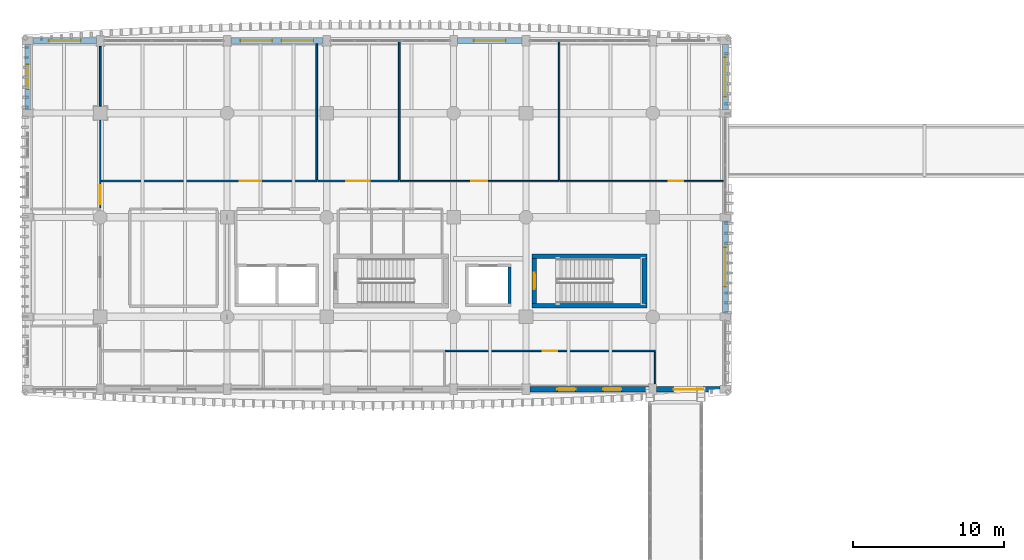
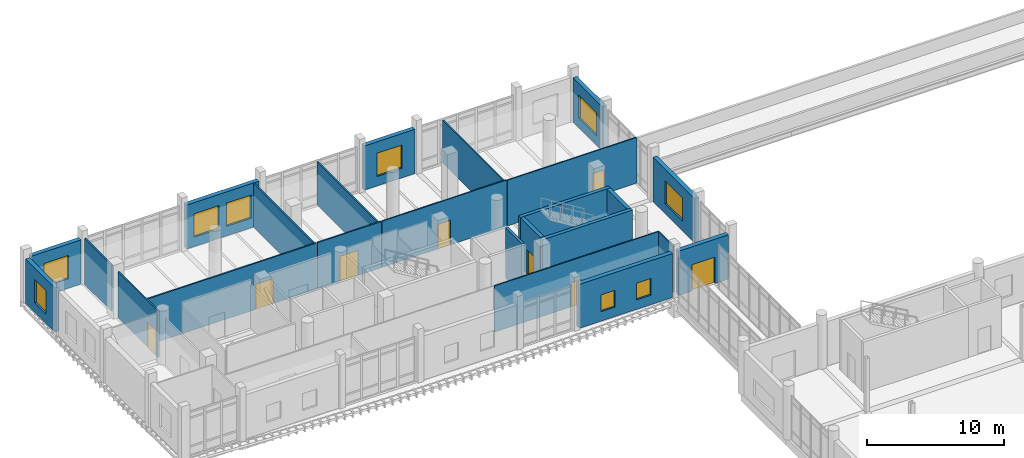
# One storey, part 71 of 101: 24 walls, 9 windows, 8 doors, 17 openings.
"""IFC4 building model written with IfcOpenShell, lengths in metres."""

import ifcopenshell
import ifcopenshell.guid

model = None  # the IFC model being written
_history = None  # IfcOwnerHistory: only IFC2X3 demands one
_inside = {}  # id of a spatial element -> (the spatial element, [elements in it])
_under = {}  # id of a project, library or spatial element -> (it, [spatial elements below it])
_declared = {}  # id of a project -> (the project, [libraries it declares])
_typed = {}  # id of a type object -> (the type object, [elements of that type])
_made_of = {}  # id of a material, layer set ... -> (it, [elements and type objects made of it])


def new_model(schema):
    """Start an empty IFC model of exactly this schema.

    Asked for "IFC4X3", IfcOpenShell would pick the latest addendum, in which some entities
    have other attributes; the version numbers below select the first issue.
    IFC2X3 requires an IfcOwnerHistory on every rooted entity: one is made here for all.
    """
    global model, _history
    if schema == "IFC4X3":
        model = ifcopenshell.file(schema_version=(4, 3, 0, 0))
    else:
        model = ifcopenshell.file(schema=schema)
    _inside.clear()
    _under.clear()
    _declared.clear()
    _typed.clear()
    _made_of.clear()
    _history = None
    if model.schema == "IFC2X3":
        org = make("IfcOrganization", Name="unknown")
        user = make(
            "IfcPersonAndOrganization",
            ThePerson=make("IfcPerson", FamilyName="unknown"),
            TheOrganization=org,
        )
        app = make(
            "IfcApplication",
            ApplicationDeveloper=org,
            Version="unknown",
            ApplicationFullName="unknown",
            ApplicationIdentifier="unknown",
        )
        _history = make(
            "IfcOwnerHistory",
            OwningUser=user,
            OwningApplication=app,
            ChangeAction="ADDED",
            CreationDate=0,
        )
    return model


def make(cls, **values):
    """One entity of the class cls with the attributes given. An attribute that is None is left unset."""
    return model.create_entity(
        cls, **{name: value for name, value in values.items() if value is not None}
    )


def rooted(cls, **values):
    """An entity with a GlobalId (a new one), such as an element, a storey or a relation."""
    return make(cls, GlobalId=ifcopenshell.guid.new(), OwnerHistory=_history, **values)


def si_unit(unit_type, name, prefix=None):
    """IfcSIUnit, for example si_unit("LENGTHUNIT", "METRE", prefix="MILLI")."""
    return make("IfcSIUnit", UnitType=unit_type, Prefix=prefix, Name=name)


def assignment(units):
    """IfcUnitAssignment: the units of a project."""
    return None if units is None else make("IfcUnitAssignment", Units=units)


def point(xyz):
    """IfcCartesianPoint."""
    return None if xyz is None else make("IfcCartesianPoint", Coordinates=xyz)


def direction(xyz):
    """IfcDirection."""
    return None if xyz is None else make("IfcDirection", DirectionRatios=xyz)


def frame(location, z_axis=None, x_axis=None):
    """IfcAxis2Placement3D, a coordinate frame: its origin and axes. An axis left out is left unset."""
    return make(
        "IfcAxis2Placement3D",
        Location=point(location),
        Axis=direction(z_axis),
        RefDirection=direction(x_axis),
    )


def frame_2d(location, x_axis=None):
    """IfcAxis2Placement2D, a coordinate frame in the plane: its origin and x axis."""
    return make(
        "IfcAxis2Placement2D", Location=point(location), RefDirection=direction(x_axis)
    )


def origin():
    """The frame at (0, 0, 0) with its axes left unset."""
    return frame((0.0, 0.0, 0.0))


def place(relative_to, where):
    """IfcLocalPlacement: puts the frame where relative to a parent placement (None: the world)."""
    return make(
        "IfcLocalPlacement", PlacementRelTo=relative_to, RelativePlacement=where
    )


def context(
    kind, dimensions, precision=None, world=None, true_north=None, identifier=None
):
    """IfcGeometricRepresentationContext, for example the 3D "Model" context."""
    return make(
        "IfcGeometricRepresentationContext",
        ContextIdentifier=identifier,
        ContextType=kind,
        CoordinateSpaceDimension=dimensions,
        Precision=precision,
        WorldCoordinateSystem=world,
        TrueNorth=true_north,
    )


def subcontext(parent, identifier, kind, view, scale=None):
    """IfcGeometricRepresentationSubContext, for example "Body" below "Model"."""
    return make(
        "IfcGeometricRepresentationSubContext",
        ContextIdentifier=identifier,
        ContextType=kind,
        ParentContext=parent,
        TargetScale=scale,
        TargetView=view,
    )


def project(units=None, contexts=None):
    """IfcProject with its units and contexts."""
    return rooted(
        "IfcProject",
        Name="project",
        RepresentationContexts=contexts,
        UnitsInContext=assignment(units),
    )


def spatial(cls, under=None, at=None, **own):
    """A site, building, storey or space (cls), placed at a placement, below another one or the project."""
    s = rooted(cls, ObjectPlacement=at, **own)
    if under is not None:
        _under.setdefault(under.id(), (under, []))[1].append(s)
    return s


def profile(cls, at=None, kind="AREA", **sizes):
    """A parametric profile (cls). Its sizes go by their IFC names, for example OverallWidth=200.0."""
    return make(cls, ProfileType=kind, Position=at, **sizes)


def rectangle(**sizes):
    """IfcRectangleProfileDef."""
    return profile("IfcRectangleProfileDef", **sizes)


def extrude(swept, where, along, depth):
    """IfcExtrudedAreaSolid: the profile swept, set in the frame where, extruded along a direction by depth."""
    return make(
        "IfcExtrudedAreaSolid",
        SweptArea=swept,
        Position=where,
        ExtrudedDirection=direction(along),
        Depth=depth,
    )


def shape(context_of_items, identifier, shape_type, items):
    """IfcShapeRepresentation: the items that make up one representation, for example the "Body"."""
    return make(
        "IfcShapeRepresentation",
        ContextOfItems=context_of_items,
        RepresentationIdentifier=identifier,
        RepresentationType=shape_type,
        Items=items,
    )


def material(Name=None, Category=None):
    """IfcMaterial."""
    return make("IfcMaterial", Name=Name, Category=Category)


def layer(
    of_material, thickness, ventilated=None, Name=None, Category=None, Priority=None
):
    """IfcMaterialLayer: one layer of a wall or slab, of a material (None: an air gap)."""
    return make(
        "IfcMaterialLayer",
        Material=of_material,
        LayerThickness=thickness,
        IsVentilated=ventilated,
        Name=Name,
        Category=Category,
        Priority=Priority,
    )


def layer_set(layers, Name=None):
    """IfcMaterialLayerSet."""
    return make("IfcMaterialLayerSet", MaterialLayers=layers, LayerSetName=Name)


def made_of(thing, what):
    """Note that an element or type object is made of a material, layer set ...; save() writes the relation."""
    if what is not None:
        _made_of.setdefault(what.id(), (what, []))[1].append(thing)
    return thing


def type_object(cls, material=None, **own):
    """A type object (cls), such as IfcWallType, which elements share."""
    return made_of(rooted(cls, **own), material)


def element(
    cls,
    number,
    at=None,
    inside=None,
    cuts=None,
    type_object=None,
    material=None,
    context=None,
    identifier="Body",
    shape_type=None,
    held_by="IfcProductDefinitionShape",
    body=None,
    shapes=None,
    **own,
):
    """One element of the class cls, such as IfcWall. Its Tag is "e" and its number.

    at: its placement. inside: the storey or other place that contains it. cuts: it is an
    opening in that element (IfcRelVoidsElement). A single representation is given by context,
    identifier, shape_type and body (its items); several are given by shapes. held_by: the class
    of the entity that holds the representations. save() writes the other relations.
    """
    e = rooted(cls, Tag="e%d" % number, ObjectPlacement=at, **own)
    if body is not None:
        shapes = [shape(context, identifier, shape_type, body)]
    if shapes is not None:
        e.Representation = make(held_by, Representations=shapes)
    if inside is not None:
        _inside.setdefault(inside.id(), (inside, []))[1].append(e)
    if cuts is not None:
        rooted(
            "IfcRelVoidsElement", RelatingBuildingElement=cuts, RelatedOpeningElement=e
        )
    if type_object is not None:
        _typed.setdefault(type_object.id(), (type_object, []))[1].append(e)
    return made_of(e, material)


def fill(opening, filler):
    """IfcRelFillsElement: the door or window that sits in an opening."""
    return rooted(
        "IfcRelFillsElement",
        RelatingOpeningElement=opening,
        RelatedBuildingElement=filler,
    )


def aggregate(whole, parts):
    """IfcRelAggregates: a whole, such as a stair, and the parts it consists of."""
    return rooted("IfcRelAggregates", RelatingObject=whole, RelatedObjects=parts)


def save(model, path):
    """Write the relations noted so far, then the file.

    IfcRelAggregates (storeys below a building ...), IfcRelContainedInSpatialStructure (elements
    in a storey), IfcRelDefinesByType, IfcRelAssociatesMaterial and IfcRelDeclares: one each for
    every whole, place, type object, material and project.
    """
    for whole, parts in _under.values():
        aggregate(whole, parts)
    for where, things in _inside.values():
        rooted(
            "IfcRelContainedInSpatialStructure",
            RelatedElements=things,
            RelatingStructure=where,
        )
    for kind, things in _typed.values():
        rooted("IfcRelDefinesByType", RelatedObjects=things, RelatingType=kind)
    for what, things in _made_of.values():
        rooted("IfcRelAssociatesMaterial", RelatedObjects=things, RelatingMaterial=what)
    for by, libraries in _declared.values():
        rooted("IfcRelDeclares", RelatingContext=by, RelatedDefinitions=libraries)
    model.write(path)


model = new_model("IFC4")

# Units and contexts
model_context = context("Model", 3, precision=1e-05, world=origin(), true_north=direction((0.0, 1.0)))
body_context = subcontext(model_context, "Body", "Model", "MODEL_VIEW")
ifc_project = project(units=[si_unit("LENGTHUNIT", "METRE"), si_unit("AREAUNIT", "SQUARE_METRE"), si_unit("VOLUMEUNIT", "CUBIC_METRE"), si_unit("PLANEANGLEUNIT", "RADIAN"), si_unit("MASSUNIT", "GRAM", prefix="KILO")], contexts=[model_context])

# Site, building, storey
site_placement = place(None, origin())
site = spatial("IfcSite", under=ifc_project, at=site_placement, CompositionType="ELEMENT")
building_placement = place(site_placement, origin())
building = spatial("IfcBuilding", under=site, at=building_placement, Name="Dornvale Research Institute", CompositionType="ELEMENT")
storey_placement = place(building_placement, frame((0.0, 0.0, 10.199951171875)))
storey = spatial("IfcBuildingStorey", under=building, at=storey_placement, Name="L02", CompositionType="ELEMENT", Elevation=10.199951171875)

# Wall, opening, door
ifc_material_1 = material(Name="Acoustic Insulated Double-Stud Laboratory Partition")
ifc_layer_1 = layer(ifc_material_1, 0.1201171875)
ifc_layer_set_1 = layer_set([ifc_layer_1], Name="Acoustic Insulated Double-Stud Laboratory Partition")
wall_type_1 = type_object("IfcWallType", Name="Partition_Dry_120", PredefinedType="PARTITIONING", material=ifc_layer_set_1)
wall_1_placement = place(storey_placement, frame((4.800048828125, 111.02490234375, 0.0), z_axis=(0.0, 0.0, 1.0), x_axis=(0.0, 1.0, 0.0)))
wall_1 = element("IfcWall", 1, at=wall_1_placement, inside=storey, type_object=wall_type_1, Name="L02 V5 interior partition #250", PredefinedType="PARTITIONING", context=body_context, shape_type="SweptSolid", body=[
    extrude(rectangle(XDim=5.80517578125, YDim=0.1201171875, at=frame_2d((2.902587890625, 0.0))), origin(), (0.0, 0.0, 1.0), 4.130126953125),
])
opening_1_placement = place(wall_1_placement, frame((0.25, 0.0, 0.0)))
opening_1 = element("IfcOpeningElement", 2, at=opening_1_placement, cuts=wall_1, Name="Opening ID-10", PredefinedType="OPENING", context=body_context, shape_type="SweptSolid", body=[
    extrude(rectangle(XDim=1.260009765625, YDim=2.199951171875, at=frame_2d((0.6298828125, 1.10009765625))), frame((0.0, 0.074951171875, 0.0), z_axis=(0.0, -1.0, 0.0), x_axis=(1.0, 0.0, 0.0)), (0.0, 0.0, 1.0), 0.150146484375),
])
ifc_material_2 = material(Name="Phenolic-Faced Solid-Core Laboratory Door Assembly")
door_type_1 = type_object("IfcDoorType", Name="Door_DryLab_1260x2200", OperationType="SINGLE_SWING_LEFT", PredefinedType="DOOR", material=ifc_material_2)
door_1_placement = place(opening_1_placement, origin())
door_1 = element("IfcDoor", 3, at=door_1_placement, inside=storey, type_object=door_type_1, Name="L02 Machine Learning Simulation Laboratory West Alcove door #100", OperationType="SINGLE_SWING_LEFT", OverallHeight=2.199951171875, OverallWidth=1.260009765625, PredefinedType="DOOR", context=body_context, shape_type="SweptSolid", body=[
    extrude(rectangle(XDim=1.260009765625, YDim=2.199951171875, at=frame_2d((0.6298828125, 1.10009765625))), frame((0.0, 0.02490234375, 0.0), z_axis=(0.0, -1.0, 0.0), x_axis=(1.0, 0.0, 0.0)), (0.0, 0.0, 1.0), 0.050048828125),
])
fill(opening_1, door_1)

# Wall
wall_2_placement = place(storey_placement, frame((4.800048828125, 117.77001953125, 0.0), z_axis=(0.0, 0.0, 1.0), x_axis=(0.0, 1.0, 0.0)))
element("IfcWall", 4, at=wall_2_placement, inside=storey, type_object=wall_type_1, Name="L02 V5 interior partition #251", PredefinedType="PARTITIONING", context=body_context, shape_type="SweptSolid", body=[
    extrude(rectangle(XDim=3.9599609375, YDim=0.1201171875, at=frame_2d((1.97998046875, 0.0))), origin(), (0.0, 0.0, 1.0), 4.130126953125),
])

# Wall, opening, door
wall_3_placement = place(storey_placement, frame((4.875, 112.800048828125, 0.0), z_axis=(0.0, 0.0, 1.0), x_axis=(1.0, 0.0, 0.0)))
wall_3 = element("IfcWall", 5, at=wall_3_placement, inside=storey, type_object=wall_type_1, Name="L02 V5 interior partition #252", PredefinedType="PARTITIONING", context=body_context, shape_type="SweptSolid", body=[
    extrude(rectangle(XDim=14.264892578125, YDim=0.1201171875, at=frame_2d((7.13232421875, 0.0))), origin(), (0.0, 0.0, 1.0), 4.130126953125),
])
opening_2_placement = place(wall_3_placement, frame((9.155029296875, 0.0, 0.0)))
opening_2 = element("IfcOpeningElement", 6, at=opening_2_placement, cuts=wall_3, Name="Opening ID-07", PredefinedType="OPENING", context=body_context, shape_type="SweptSolid", body=[
    extrude(rectangle(XDim=1.43994140625, YDim=2.25, at=frame_2d((0.719970703125, 1.125))), frame((0.0, 0.074951171875, 0.0), z_axis=(0.0, -1.0, 0.0), x_axis=(1.0, 0.0, 0.0)), (0.0, 0.0, 1.0), 0.150146484375),
])
ifc_material_3 = material(Name="Insulated Fire-Rated Hollow Metal Door Assembly")
door_type_2 = type_object("IfcDoorType", Name="Door_DryLab_1440x2250", OperationType="SINGLE_SWING_LEFT", PredefinedType="DOOR", material=ifc_material_3)
door_2_placement = place(opening_2_placement, origin())
door_2 = element("IfcDoor", 7, at=door_2_placement, inside=storey, type_object=door_type_2, Name="L02 Machine Learning Simulation Laboratory door #101", OperationType="SINGLE_SWING_RIGHT", OverallHeight=2.25, OverallWidth=1.43994140625, PredefinedType="DOOR", context=body_context, shape_type="SweptSolid", body=[
    extrude(rectangle(XDim=1.43994140625, YDim=2.25, at=frame_2d((0.719970703125, 1.125))), frame((0.0, 0.02490234375, 0.0), z_axis=(0.0, -1.0, 0.0), x_axis=(1.0, 0.0, 0.0)), (0.0, 0.0, 1.0), 0.050048828125),
])
fill(opening_2, door_2)

# Wall
wall_4_placement = place(storey_placement, frame((19.139892578125, 112.875, 0.0), z_axis=(0.0, 0.0, 1.0), x_axis=(0.0, 1.0, 0.0)))
element("IfcWall", 8, at=wall_4_placement, inside=storey, type_object=wall_type_1, Name="L02 V5 interior partition #253", PredefinedType="PARTITIONING", context=body_context, shape_type="SweptSolid", body=[
    extrude(rectangle(XDim=9.030029296875, YDim=0.1201171875, at=frame_2d((4.51513671875, 0.0))), origin(), (0.0, 0.0, 1.0), 3.929931640625),
])

# Wall, opening, door
wall_5_placement = place(storey_placement, frame((19.215087890625, 112.800048828125, 0.0), z_axis=(0.0, 0.0, 1.0), x_axis=(1.0, 0.0, 0.0)))
wall_5 = element("IfcWall", 9, at=wall_5_placement, inside=storey, type_object=wall_type_1, Name="L02 V5 interior partition #254", PredefinedType="PARTITIONING", context=body_context, shape_type="SweptSolid", body=[
    extrude(rectangle(XDim=5.385009765625, YDim=0.1201171875, at=frame_2d((2.6923828125, 0.0))), origin(), (0.0, 0.0, 1.0), 4.130126953125),
])
opening_3_placement = place(wall_5_placement, frame((1.885009765625, 0.0, 0.0)))
opening_3 = element("IfcOpeningElement", 10, at=opening_3_placement, cuts=wall_5, Name="Opening ID-12", PredefinedType="OPENING", context=body_context, shape_type="SweptSolid", body=[
    extrude(rectangle(XDim=1.5400390625, YDim=2.25, at=frame_2d((0.77001953125, 1.125))), frame((0.0, 0.074951171875, 0.0), z_axis=(0.0, -1.0, 0.0), x_axis=(1.0, 0.0, 0.0)), (0.0, 0.0, 1.0), 0.150146484375),
])
ifc_material_4 = material(Name="Phenolic-Faced Solid-Core Laboratory Door Assembly")
door_type_3 = type_object("IfcDoorType", Name="Door_Seminar_1540x2250", OperationType="SINGLE_SWING_LEFT", PredefinedType="DOOR", material=ifc_material_4)
door_3_placement = place(opening_3_placement, origin())
door_3 = element("IfcDoor", 11, at=door_3_placement, inside=storey, type_object=door_type_3, Name="L02 Seminar Room L02-N door #102", OperationType="SINGLE_SWING_LEFT", OverallHeight=2.25, OverallWidth=1.5400390625, PredefinedType="DOOR", context=body_context, shape_type="SweptSolid", body=[
    extrude(rectangle(XDim=1.5400390625, YDim=2.25, at=frame_2d((0.77001953125, 1.125))), frame((0.0, 0.02490234375, 0.0), z_axis=(0.0, -1.0, 0.0), x_axis=(1.0, 0.0, 0.0)), (0.0, 0.0, 1.0), 0.050048828125),
])
fill(opening_3, door_3)

# Wall
wall_6_placement = place(storey_placement, frame((24.60009765625, 112.875, 0.0), z_axis=(0.0, 0.0, 1.0), x_axis=(0.0, 1.0, 0.0)))
element("IfcWall", 12, at=wall_6_placement, inside=storey, type_object=wall_type_1, Name="L02 V5 interior partition #255", PredefinedType="PARTITIONING", context=body_context, shape_type="SweptSolid", body=[
    extrude(rectangle(XDim=9.18505859375, YDim=0.1201171875, at=frame_2d((4.592529296875, 0.0))), origin(), (0.0, 0.0, 1.0), 3.830078125),
])

# Wall, opening, door
ifc_material_5 = material(Name="Acoustic Insulated Double-Stud Laboratory Partition")
ifc_layer_2 = layer(ifc_material_5, 0.10009765625)
ifc_layer_set_2 = layer_set([ifc_layer_2], Name="Acoustic Insulated Double-Stud Laboratory Partition")
wall_type_2 = type_object("IfcWallType", Name="Partition_Office_100", PredefinedType="PARTITIONING", material=ifc_layer_set_2)
wall_7_placement = place(storey_placement, frame((24.675048828125, 112.800048828125, 0.0), z_axis=(0.0, 0.0, 1.0), x_axis=(1.0, 0.0, 0.0)))
wall_7 = element("IfcWall", 13, at=wall_7_placement, inside=storey, type_object=wall_type_2, Name="L02 V5 interior partition #256", PredefinedType="PARTITIONING", context=body_context, shape_type="SweptSolid", body=[
    extrude(rectangle(XDim=10.52490234375, YDim=0.10009765625, at=frame_2d((5.262451171875, 0.0))), origin(), (0.0, 0.0, 1.0), 4.130126953125),
])
opening_4_placement = place(wall_7_placement, frame((4.695068359375, 0.0, 0.0)))
opening_4 = element("IfcOpeningElement", 14, at=opening_4_placement, cuts=wall_7, Name="Opening ID-19", PredefinedType="OPENING", context=body_context, shape_type="SweptSolid", body=[
    extrude(rectangle(XDim=1.06005859375, YDim=2.199951171875, at=frame_2d((0.530029296875, 1.10009765625))), frame((0.0, 0.06494140625, 0.0), z_axis=(0.0, -1.0, 0.0), x_axis=(1.0, 0.0, 0.0)), (0.0, 0.0, 1.0), 0.130126953125),
])
ifc_material_6 = material(Name="Phenolic-Faced Solid-Core Laboratory Door Assembly")
door_type_4 = type_object("IfcDoorType", Name="Door_WriteUp_1060x2200", OperationType="SINGLE_SWING_LEFT", PredefinedType="DOOR", material=ifc_material_6)
door_4_placement = place(opening_4_placement, origin())
door_4 = element("IfcDoor", 15, at=door_4_placement, inside=storey, type_object=door_type_4, Name="L02 Researcher Write-Up Studio L02 door #103", OperationType="SINGLE_SWING_RIGHT", OverallHeight=2.199951171875, OverallWidth=1.06005859375, PredefinedType="DOOR", context=body_context, shape_type="SweptSolid", body=[
    extrude(rectangle(XDim=1.06005859375, YDim=2.199951171875, at=frame_2d((0.530029296875, 1.10009765625))), frame((0.0, 0.02490234375, 0.0), z_axis=(0.0, -1.0, 0.0), x_axis=(1.0, 0.0, 0.0)), (0.0, 0.0, 1.0), 0.050048828125),
])
fill(opening_4, door_4)

# Wall
wall_8_placement = place(storey_placement, frame((35.199951171875, 112.864990234375, 0.0), z_axis=(0.0, 0.0, 1.0), x_axis=(0.0, 1.0, 0.0)))
element("IfcWall", 16, at=wall_8_placement, inside=storey, type_object=wall_type_2, Name="L02 V5 interior partition #257", PredefinedType="PARTITIONING", context=body_context, shape_type="SweptSolid", body=[
    extrude(rectangle(XDim=9.195068359375, YDim=0.10009765625, at=frame_2d((4.59765625, 0.0))), origin(), (0.0, 0.0, 1.0), 3.830078125),
])

# Wall, opening, door
wall_9_placement = place(storey_placement, frame((35.264892578125, 112.800048828125, 0.0), z_axis=(0.0, 0.0, 1.0), x_axis=(1.0, 0.0, 0.0)))
wall_9 = element("IfcWall", 17, at=wall_9_placement, inside=storey, type_object=wall_type_2, Name="L02 V5 interior partition #258", PredefinedType="PARTITIONING", context=body_context, shape_type="SweptSolid", body=[
    extrude(rectangle(XDim=10.89501953125, YDim=0.10009765625, at=frame_2d((5.447509765625, 0.0))), origin(), (0.0, 0.0, 1.0), 4.080078125),
])
opening_5_placement = place(wall_9_placement, frame((7.205078125, 0.0, 0.0)))
opening_5 = element("IfcOpeningElement", 18, at=opening_5_placement, cuts=wall_9, Name="Opening ID-22", PredefinedType="OPENING", context=body_context, shape_type="SweptSolid", body=[
    extrude(rectangle(XDim=0.9599609375, YDim=2.14990234375, at=frame_2d((0.47998046875, 1.074951171875))), frame((0.0, 0.06494140625, 0.0), z_axis=(0.0, -1.0, 0.0), x_axis=(1.0, 0.0, 0.0)), (0.0, 0.0, 1.0), 0.130126953125),
])
ifc_material_7 = material(Name="Phenolic-Faced Solid-Core Laboratory Door Assembly")
door_type_5 = type_object("IfcDoorType", Name="Door_Office_960x2150", OperationType="SINGLE_SWING_LEFT", PredefinedType="DOOR", material=ifc_material_7)
door_5_placement = place(opening_5_placement, origin())
door_5 = element("IfcDoor", 19, at=door_5_placement, inside=storey, type_object=door_type_5, Name="L02 Principal Investigator Office L02-E door #104", OperationType="SINGLE_SWING_LEFT", OverallHeight=2.14990234375, OverallWidth=0.9599609375, PredefinedType="DOOR", context=body_context, shape_type="SweptSolid", body=[
    extrude(rectangle(XDim=0.9599609375, YDim=2.14990234375, at=frame_2d((0.47998046875, 1.074951171875))), frame((0.0, 0.02490234375, 0.0), z_axis=(0.0, -1.0, 0.0), x_axis=(1.0, 0.0, 0.0)), (0.0, 0.0, 1.0), 0.050048828125),
])
fill(opening_5, door_5)

wall_10_placement = place(storey_placement, frame((27.6650390625, 101.550048828125, 0.0), z_axis=(0.0, 0.0, 1.0), x_axis=(1.0, 0.0, 0.0)))
wall_10 = element("IfcWall", 20, at=wall_10_placement, inside=storey, type_object=wall_type_2, Name="L02 V5 interior partition #264", PredefinedType="PARTITIONING", context=body_context, shape_type="SweptSolid", body=[
    extrude(rectangle(XDim=13.885009765625, YDim=0.10009765625, at=frame_2d((6.9423828125, 0.0))), origin(), (0.0, 0.0, 1.0), 4.130126953125),
])
opening_6_placement = place(wall_10_placement, frame((6.43505859375, 0.0, 0.0)))
opening_6 = element("IfcOpeningElement", 21, at=opening_6_placement, cuts=wall_10, Name="Opening ID-22", PredefinedType="OPENING", context=body_context, shape_type="SweptSolid", body=[
    extrude(rectangle(XDim=0.9599609375, YDim=2.14990234375, at=frame_2d((0.47998046875, 1.074951171875))), frame((0.0, 0.06494140625, 0.0), z_axis=(0.0, -1.0, 0.0), x_axis=(1.0, 0.0, 0.0)), (0.0, 0.0, 1.0), 0.130126953125),
])
door_6_placement = place(opening_6_placement, origin())
door_6 = element("IfcDoor", 22, at=door_6_placement, inside=storey, type_object=door_type_5, Name="L02 Faculty Consultation Office L02 door #108", OperationType="SINGLE_SWING_LEFT", OverallHeight=2.14990234375, OverallWidth=0.9599609375, PredefinedType="DOOR", context=body_context, shape_type="SweptSolid", body=[
    extrude(rectangle(XDim=0.9599609375, YDim=2.14990234375, at=frame_2d((0.47998046875, 1.074951171875))), frame((0.0, 0.02490234375, 0.0), z_axis=(0.0, -1.0, 0.0), x_axis=(1.0, 0.0, 0.0)), (0.0, 0.0, 1.0), 0.050048828125),
])
fill(opening_6, door_6)

# Walls
wall_11_placement = place(storey_placement, frame((41.550048828125, 99.3701171875, 0.0), z_axis=(0.0, 0.0, 1.0), x_axis=(0.0, 1.0, 0.0)))
element("IfcWall", 23, at=wall_11_placement, inside=storey, type_object=wall_type_2, Name="L02 V5 interior partition #265", PredefinedType="PARTITIONING", context=body_context, shape_type="SweptSolid", body=[
    extrude(rectangle(XDim=2.114990234375, YDim=0.10009765625, at=frame_2d((1.0576171875, 0.0))), origin(), (0.0, 0.0, 1.0), 4.130126953125),
])
ifc_material_8 = material(Name="Concrete f'c 50 MPa (C40/50)", Category="concrete")
ifc_layer_3 = layer(ifc_material_8, 0.300048828125)
ifc_layer_set_3 = layer_set([ifc_layer_3], Name="Concrete f'c 50 MPa (C40/50)")
wall_type_3 = type_object("IfcWallType", Name="ShearWall_Core_300", PredefinedType="SHEAR", material=ifc_layer_set_3)
for number, where, z_axis, x_axis, name in (
    (24, (33.39990234375, 104.550048828125, 0.0), (0.0, 0.0, 1.0), (1.0, 0.0, 0.0), "L02 ST-2 shaft shear wall south"),
    (25, (33.39990234375, 107.81005859375, 0.0), (0.0, 0.0, 1.0), (1.0, 0.0, 0.0), "L02 ST-2 shaft shear wall north"),
):
    element("IfcWall", number, at=place(storey_placement, frame(where, z_axis=z_axis, x_axis=x_axis)), inside=storey, type_object=wall_type_3, Name=name, PredefinedType="SHEAR", context=body_context, shape_type="SweptSolid", body=[
        extrude(rectangle(XDim=7.60009765625, YDim=0.300048828125, at=frame_2d((3.800048828125, 0.0))), origin(), (0.0, 0.0, 1.0), 4.47998046875),
    ])

# Wall, opening, door
wall_12_placement = place(storey_placement, frame((33.550048828125, 104.699951171875, 0.0), z_axis=(0.0, 0.0, 1.0), x_axis=(0.0, 1.0, 0.0)))
wall_12 = element("IfcWall", 26, at=wall_12_placement, inside=storey, type_object=wall_type_3, Name="L02 ST-2 shaft shear wall west", PredefinedType="SHEAR", context=body_context, shape_type="SweptSolid", body=[
    extrude(rectangle(XDim=2.9599609375, YDim=0.300048828125, at=frame_2d((1.47998046875, 0.0))), origin(), (0.0, 0.0, 1.0), 4.47998046875),
])
opening_7_placement = place(wall_12_placement, frame((0.93994140625, 0.0, 0.0)))
opening_7 = element("IfcOpeningElement", 27, at=opening_7_placement, cuts=wall_12, Name="Opening SD-02", PredefinedType="OPENING", context=body_context, shape_type="SweptSolid", body=[
    extrude(rectangle(XDim=1.080078125, YDim=2.199951171875, at=frame_2d((0.5400390625, 1.10009765625))), frame((0.0, 0.1650390625, 0.0), z_axis=(0.0, -1.0, 0.0), x_axis=(1.0, 0.0, 0.0)), (0.0, 0.0, 1.0), 0.330078125),
])
ifc_material_9 = material(Name="Insulated Fire-Rated Hollow Metal Door Assembly")
door_type_6 = type_object("IfcDoorType", Name="Door_Stair_1080x2200", OperationType="SINGLE_SWING_LEFT", PredefinedType="DOOR", material=ifc_material_9)
door_7_placement = place(opening_7_placement, origin())
door_7 = element("IfcDoor", 28, at=door_7_placement, inside=storey, type_object=door_type_6, Name="L02 ST-2 exit stair door #16", OperationType="SINGLE_SWING_LEFT", OverallHeight=2.199951171875, OverallWidth=1.080078125, PredefinedType="DOOR", context=body_context, shape_type="SweptSolid", body=[
    extrude(rectangle(XDim=1.080078125, YDim=2.199951171875, at=frame_2d((0.5400390625, 1.10009765625))), frame((0.0, 0.02490234375, 0.0), z_axis=(0.0, -1.0, 0.0), x_axis=(1.0, 0.0, 0.0)), (0.0, 0.0, 1.0), 0.050048828125),
])
fill(opening_7, door_7)

# Walls
wall_13_placement = place(storey_placement, frame((40.85009765625, 104.699951171875, 0.0), z_axis=(0.0, 0.0, 1.0), x_axis=(0.0, 1.0, 0.0)))
element("IfcWall", 29, at=wall_13_placement, inside=storey, type_object=wall_type_3, Name="L02 ST-2 shaft shear wall east", PredefinedType="SHEAR", context=body_context, shape_type="SweptSolid", body=[
    extrude(rectangle(XDim=2.9599609375, YDim=0.300048828125, at=frame_2d((1.47998046875, 0.0))), origin(), (0.0, 0.0, 1.0), 4.47998046875),
])
ifc_material_10 = material(Name="Concrete f'c 45 MPa (C35/45)", Category="concrete")
ifc_layer_4 = layer(ifc_material_10, 0.219970703125)
ifc_layer_set_4 = layer_set([ifc_layer_4], Name="Concrete f'c 45 MPa (C35/45)")
wall_type_4 = type_object("IfcWallType", Name="ShearWall_Shaft_220", PredefinedType="SHEAR", material=ifc_layer_set_4)
wall_14_placement = place(storey_placement, frame((31.909912109375, 104.699951171875, 0.0), z_axis=(0.0, 0.0, 1.0), x_axis=(0.0, 1.0, 0.0)))
element("IfcWall", 30, at=wall_14_placement, inside=storey, type_object=wall_type_4, Name="L02 LP1 elevator shaft wall east", PredefinedType="SHEAR", context=body_context, shape_type="SweptSolid", body=[
    extrude(rectangle(XDim=2.400146484375, YDim=0.219970703125, at=frame_2d((1.2001953125, 0.0))), origin(), (0.0, 0.0, 1.0), 4.47998046875),
])

# Wall, opening, window
ifc_material_11 = material(Name="Catalan Pressed Brick and Insulated Cavity Assembly", Category="masonry")
ifc_layer_5 = layer(ifc_material_11, 0.360107421875)
ifc_layer_set_5 = layer_set([ifc_layer_5], Name="Catalan Pressed Brick and Insulated Cavity Assembly")
wall_type_5 = type_object("IfcWallType", Name="StandardWall_BrickCavity_360", PredefinedType="STANDARD", material=ifc_layer_set_5)
wall_15_placement = place(storey_placement, frame((0.0, 117.550048828125, 0.0), z_axis=(0.0, 0.0, 1.0), x_axis=(0.0, 1.0, 0.0)))
wall_15 = element("IfcWall", 31, at=wall_15_placement, inside=storey, type_object=wall_type_5, Name="L02 V5 west exterior wall #321", PredefinedType="STANDARD", context=body_context, shape_type="SweptSolid", body=[
    extrude(rectangle(XDim=4.300048828125, YDim=0.360107421875, at=frame_2d((2.14990234375, 0.0))), origin(), (0.0, 0.0, 1.0), 3.949951171875),
])
opening_8_placement = place(wall_15_placement, frame((1.324951171875, 0.0, 0.85009765625)))
opening_8 = element("IfcOpeningElement", 32, at=opening_8_placement, cuts=wall_15, Name="Opening W-40", PredefinedType="OPENING", context=body_context, shape_type="SweptSolid", body=[
    extrude(rectangle(XDim=1.64990234375, YDim=2.080078125, at=frame_2d((0.824951171875, 1.0400390625))), frame((0.0, 0.195068359375, 0.0), z_axis=(0.0, -1.0, 0.0), x_axis=(1.0, 0.0, 0.0)), (0.0, 0.0, 1.0), 0.39013671875),
])
ifc_material_12 = material(Name="Low-E Argon Double Insulating Glazing Unit", Category="glass")
window_type_1 = type_object("IfcWindowType", Name="Window_Alu_1650x2080_40", PartitioningType="SINGLE_PANEL", PredefinedType="WINDOW", material=ifc_material_12)
window_1_placement = place(opening_8_placement, origin())
window_1 = element("IfcWindow", 33, at=window_1_placement, inside=storey, type_object=window_type_1, Name="L02 V5 facade window W-40 #436", OverallHeight=2.080078125, OverallWidth=1.64990234375, PartitioningType="SINGLE_PANEL", PredefinedType="WINDOW", context=body_context, shape_type="SweptSolid", body=[
    extrude(rectangle(XDim=1.64990234375, YDim=2.080078125, at=frame_2d((0.824951171875, 1.0400390625))), frame((0.0, 0.030029296875, 0.0), z_axis=(0.0, -1.0, 0.0), x_axis=(1.0, 0.0, 0.0)), (0.0, 0.0, 1.0), 0.06005859375),
])
fill(opening_8, window_1)

wall_16_placement = place(storey_placement, frame((0.35009765625, 122.10009765625, 0.0), z_axis=(0.0, 0.0, 1.0), x_axis=(1.0, 0.0, 0.0)))
wall_16 = element("IfcWall", 34, at=wall_16_placement, inside=storey, type_object=wall_type_5, Name="L02 V5 north exterior wall #322", PredefinedType="STANDARD", context=body_context, shape_type="SweptSolid", body=[
    extrude(rectangle(XDim=4.199951171875, YDim=0.360107421875, at=frame_2d((2.10009765625, 0.0))), origin(), (0.0, 0.0, 1.0), 3.949951171875),
])
opening_9_placement = place(wall_16_placement, frame((1.050048828125, 0.0, 0.85009765625)))
opening_9 = element("IfcOpeningElement", 35, at=opening_9_placement, cuts=wall_16, Name="Opening W-43", PredefinedType="OPENING", context=body_context, shape_type="SweptSolid", body=[
    extrude(rectangle(XDim=2.10009765625, YDim=2.080078125, at=frame_2d((1.050048828125, 1.0400390625))), frame((0.0, 0.195068359375, 0.0), z_axis=(0.0, -1.0, 0.0), x_axis=(1.0, 0.0, 0.0)), (0.0, 0.0, 1.0), 0.39013671875),
])
ifc_material_13 = material(Name="Low-E Argon Double Insulating Glazing Unit", Category="glass")
window_type_2 = type_object("IfcWindowType", Name="Window_Alu_2100x2080_43", PartitioningType="DOUBLE_PANEL_VERTICAL", PredefinedType="WINDOW", material=ifc_material_13)
window_2_placement = place(opening_9_placement, origin())
window_2 = element("IfcWindow", 36, at=window_2_placement, inside=storey, type_object=window_type_2, Name="L02 V5 facade window W-43 #437", OverallHeight=2.080078125, OverallWidth=2.10009765625, PartitioningType="DOUBLE_PANEL_VERTICAL", PredefinedType="WINDOW", context=body_context, shape_type="SweptSolid", body=[
    extrude(rectangle(XDim=2.10009765625, YDim=2.080078125, at=frame_2d((1.050048828125, 1.0400390625))), frame((0.0, 0.030029296875, 0.0), z_axis=(0.0, -1.0, 0.0), x_axis=(1.0, 0.0, 0.0)), (0.0, 0.0, 1.0), 0.06005859375),
])
fill(opening_9, window_2)

# Wall, openings, windows
wall_17_placement = place(storey_placement, frame((13.449951171875, 122.10009765625, 0.0), z_axis=(0.0, 0.0, 1.0), x_axis=(1.0, 0.0, 0.0)))
wall_17 = element("IfcWall", 37, at=wall_17_placement, inside=storey, type_object=wall_type_5, Name="L02 V5 north exterior wall #323", PredefinedType="STANDARD", context=body_context, shape_type="SweptSolid", body=[
    extrude(rectangle(XDim=6.10009765625, YDim=0.360107421875, at=frame_2d((3.050048828125, 0.0))), origin(), (0.0, 0.0, 1.0), 3.929931640625),
])
opening_10_placement = place(wall_17_placement, frame((0.63330078125, 0.0, 0.85009765625)))
opening_10 = element("IfcOpeningElement", 38, at=opening_10_placement, cuts=wall_17, Name="Opening W-43", PredefinedType="OPENING", context=body_context, shape_type="SweptSolid", body=[
    extrude(rectangle(XDim=2.10009765625, YDim=2.080078125, at=frame_2d((1.050048828125, 1.0400390625))), frame((0.0, 0.195068359375, 0.0), z_axis=(0.0, -1.0, 0.0), x_axis=(1.0, 0.0, 0.0)), (0.0, 0.0, 1.0), 0.39013671875),
])
opening_11_placement = place(wall_17_placement, frame((3.36669921875, 0.0, 0.85009765625)))
opening_11 = element("IfcOpeningElement", 39, at=opening_11_placement, cuts=wall_17, Name="Opening W-43", PredefinedType="OPENING", context=body_context, shape_type="SweptSolid", body=[
    extrude(rectangle(XDim=2.10009765625, YDim=2.080078125, at=frame_2d((1.050048828125, 1.0400390625))), frame((0.0, 0.195068359375, 0.0), z_axis=(0.0, -1.0, 0.0), x_axis=(1.0, 0.0, 0.0)), (0.0, 0.0, 1.0), 0.39013671875),
])
window_3_placement = place(opening_10_placement, origin())
window_3 = element("IfcWindow", 40, at=window_3_placement, inside=storey, type_object=window_type_2, Name="L02 V5 facade window W-43 #438", OverallHeight=2.080078125, OverallWidth=2.10009765625, PartitioningType="DOUBLE_PANEL_VERTICAL", PredefinedType="WINDOW", context=body_context, shape_type="SweptSolid", body=[
    extrude(rectangle(XDim=2.10009765625, YDim=2.080078125, at=frame_2d((1.050048828125, 1.0400390625))), frame((0.0, 0.030029296875, 0.0), z_axis=(0.0, -1.0, 0.0), x_axis=(1.0, 0.0, 0.0)), (0.0, 0.0, 1.0), 0.06005859375),
])
fill(opening_10, window_3)
window_4_placement = place(opening_11_placement, origin())
window_4 = element("IfcWindow", 41, at=window_4_placement, inside=storey, type_object=window_type_2, Name="L02 V5 facade window W-43 #439", OverallHeight=2.080078125, OverallWidth=2.10009765625, PartitioningType="DOUBLE_PANEL_VERTICAL", PredefinedType="WINDOW", context=body_context, shape_type="SweptSolid", body=[
    extrude(rectangle(XDim=2.10009765625, YDim=2.080078125, at=frame_2d((1.050048828125, 1.0400390625))), frame((0.0, 0.030029296875, 0.0), z_axis=(0.0, -1.0, 0.0), x_axis=(1.0, 0.0, 0.0)), (0.0, 0.0, 1.0), 0.06005859375),
])
fill(opening_11, window_4)

# Wall, opening, window
wall_18_placement = place(storey_placement, frame((28.449951171875, 122.10009765625, 0.0), z_axis=(0.0, 0.0, 1.0), x_axis=(1.0, 0.0, 0.0)))
wall_18 = element("IfcWall", 42, at=wall_18_placement, inside=storey, type_object=wall_type_5, Name="L02 V5 north exterior wall #324", PredefinedType="STANDARD", context=body_context, shape_type="SweptSolid", body=[
    extrude(rectangle(XDim=4.300048828125, YDim=0.360107421875, at=frame_2d((2.14990234375, 0.0))), origin(), (0.0, 0.0, 1.0), 3.949951171875),
])
opening_12_placement = place(wall_18_placement, frame((1.10009765625, 0.0, 0.85009765625)))
opening_12 = element("IfcOpeningElement", 43, at=opening_12_placement, cuts=wall_18, Name="Opening W-43", PredefinedType="OPENING", context=body_context, shape_type="SweptSolid", body=[
    extrude(rectangle(XDim=2.10009765625, YDim=2.080078125, at=frame_2d((1.050048828125, 1.0400390625))), frame((0.0, 0.195068359375, 0.0), z_axis=(0.0, -1.0, 0.0), x_axis=(1.0, 0.0, 0.0)), (0.0, 0.0, 1.0), 0.39013671875),
])
window_5_placement = place(opening_12_placement, origin())
window_5 = element("IfcWindow", 44, at=window_5_placement, inside=storey, type_object=window_type_2, Name="L02 V5 facade window W-43 #440", OverallHeight=2.080078125, OverallWidth=2.10009765625, PartitioningType="DOUBLE_PANEL_VERTICAL", PredefinedType="WINDOW", context=body_context, shape_type="SweptSolid", body=[
    extrude(rectangle(XDim=2.10009765625, YDim=2.080078125, at=frame_2d((1.050048828125, 1.0400390625))), frame((0.0, 0.030029296875, 0.0), z_axis=(0.0, -1.0, 0.0), x_axis=(1.0, 0.0, 0.0)), (0.0, 0.0, 1.0), 0.06005859375),
])
fill(opening_12, window_5)

wall_19_placement = place(storey_placement, frame((46.199951171875, 121.85009765625, 0.0), z_axis=(0.0, 0.0, 1.0), x_axis=(0.0, -1.0, 0.0)))
wall_19 = element("IfcWall", 45, at=wall_19_placement, inside=storey, type_object=wall_type_5, Name="L02 V5 east exterior wall #326", PredefinedType="STANDARD", context=body_context, shape_type="SweptSolid", body=[
    extrude(rectangle(XDim=4.300048828125, YDim=0.360107421875, at=frame_2d((2.14990234375, 0.0))), origin(), (0.0, 0.0, 1.0), 3.949951171875),
])
opening_13_placement = place(wall_19_placement, frame((0.85009765625, 0.0, 0.85009765625)))
opening_13 = element("IfcOpeningElement", 46, at=opening_13_placement, cuts=wall_19, Name="Opening W-46", PredefinedType="OPENING", context=body_context, shape_type="SweptSolid", body=[
    extrude(rectangle(XDim=2.60009765625, YDim=2.080078125, at=frame_2d((1.300048828125, 1.0400390625))), frame((0.0, 0.195068359375, 0.0), z_axis=(0.0, -1.0, 0.0), x_axis=(1.0, 0.0, 0.0)), (0.0, 0.0, 1.0), 0.39013671875),
])
ifc_material_14 = material(Name="Low-E Argon Double Insulating Glazing Unit", Category="glass")
window_type_3 = type_object("IfcWindowType", Name="Window_Alu_2600x2080_46", PartitioningType="DOUBLE_PANEL_VERTICAL", PredefinedType="WINDOW", material=ifc_material_14)
window_6_placement = place(opening_13_placement, origin())
window_6 = element("IfcWindow", 47, at=window_6_placement, inside=storey, type_object=window_type_3, Name="L02 V5 facade window W-46 #442", OverallHeight=2.080078125, OverallWidth=2.60009765625, PartitioningType="DOUBLE_PANEL_VERTICAL", PredefinedType="WINDOW", context=body_context, shape_type="SweptSolid", body=[
    extrude(rectangle(XDim=2.60009765625, YDim=2.080078125, at=frame_2d((1.300048828125, 1.0400390625))), frame((0.0, 0.030029296875, 0.0), z_axis=(0.0, -1.0, 0.0), x_axis=(1.0, 0.0, 0.0)), (0.0, 0.0, 1.0), 0.06005859375),
])
fill(opening_13, window_6)

wall_20_placement = place(storey_placement, frame((46.199951171875, 110.14990234375, 0.0), z_axis=(0.0, 0.0, 1.0), x_axis=(0.0, -1.0, 0.0)))
wall_20 = element("IfcWall", 48, at=wall_20_placement, inside=storey, type_object=wall_type_5, Name="L02 V5 east exterior wall #327", PredefinedType="STANDARD", context=body_context, shape_type="SweptSolid", body=[
    extrude(rectangle(XDim=6.099853515625, YDim=0.360107421875, at=frame_2d((3.0498046875, 0.0))), origin(), (0.0, 0.0, 1.0), 3.949951171875),
])
opening_14_placement = place(wall_20_placement, frame((1.75, 0.0, 0.85009765625)))
opening_14 = element("IfcOpeningElement", 49, at=opening_14_placement, cuts=wall_20, Name="Opening W-46", PredefinedType="OPENING", context=body_context, shape_type="SweptSolid", body=[
    extrude(rectangle(XDim=2.60009765625, YDim=2.080078125, at=frame_2d((1.300048828125, 1.0400390625))), frame((0.0, 0.195068359375, 0.0), z_axis=(0.0, -1.0, 0.0), x_axis=(1.0, 0.0, 0.0)), (0.0, 0.0, 1.0), 0.39013671875),
])
window_7_placement = place(opening_14_placement, origin())
window_7 = element("IfcWindow", 50, at=window_7_placement, inside=storey, type_object=window_type_3, Name="L02 V5 facade window W-46 #443", OverallHeight=2.080078125, OverallWidth=2.60009765625, PartitioningType="DOUBLE_PANEL_VERTICAL", PredefinedType="WINDOW", context=body_context, shape_type="SweptSolid", body=[
    extrude(rectangle(XDim=2.60009765625, YDim=2.080078125, at=frame_2d((1.300048828125, 1.0400390625))), frame((0.0, 0.030029296875, 0.0), z_axis=(0.0, -1.0, 0.0), x_axis=(1.0, 0.0, 0.0)), (0.0, 0.0, 1.0), 0.06005859375),
])
fill(opening_14, window_7)

# Wall, opening, door
wall_21_placement = place(storey_placement, frame((45.85009765625, 99.0, 0.0), z_axis=(0.0, 0.0, 1.0), x_axis=(-1.0, 0.0, 0.0)))
wall_21 = element("IfcWall", 51, at=wall_21_placement, inside=storey, type_object=wall_type_5, Name="L02 V5 south exterior wall #328", PredefinedType="STANDARD", context=body_context, shape_type="SweptSolid", body=[
    extrude(rectangle(XDim=4.2001953125, YDim=0.360107421875, at=frame_2d((2.10009765625, 0.0))), origin(), (0.0, 0.0, 1.0), 3.949951171875),
])
opening_15_placement = place(wall_21_placement, frame((1.125, 0.0, 0.0)))
opening_15 = element("IfcOpeningElement", 52, at=opening_15_placement, cuts=wall_21, Name="Opening BD-01", PredefinedType="OPENING", context=body_context, shape_type="SweptSolid", body=[
    extrude(rectangle(XDim=1.949951171875, YDim=2.35009765625, at=frame_2d((0.97509765625, 1.175048828125))), frame((0.0, 0.195068359375, 0.0), z_axis=(0.0, -1.0, 0.0), x_axis=(1.0, 0.0, 0.0)), (0.0, 0.0, 1.0), 0.39013671875),
])
ifc_material_15 = material(Name="Galvanized Hollow Metal Insulated Door Assembly")
door_type_7 = type_object("IfcDoorType", Name="Door_BridgeJoint_1950x2350", OperationType="SINGLE_SWING_LEFT", PredefinedType="DOOR", material=ifc_material_15)
door_8_placement = place(opening_15_placement, origin())
door_8 = element("IfcDoor", 53, at=door_8_placement, inside=storey, type_object=door_type_7, Name="L02 V5 skybridge door BD-01 #33", OperationType="DOUBLE_DOOR_SINGLE_SWING", OverallHeight=2.35009765625, OverallWidth=1.949951171875, PredefinedType="DOOR", context=body_context, shape_type="SweptSolid", body=[
    extrude(rectangle(XDim=1.949951171875, YDim=2.35009765625, at=frame_2d((0.97509765625, 1.175048828125))), frame((0.0, 0.02490234375, 0.0), z_axis=(0.0, -1.0, 0.0), x_axis=(1.0, 0.0, 0.0)), (0.0, 0.0, 1.0), 0.050048828125),
])
fill(opening_15, door_8)

# Wall, openings, windows
wall_22_placement = place(storey_placement, frame((41.14990234375, 99.0, 0.0), z_axis=(0.0, 0.0, 1.0), x_axis=(-1.0, 0.0, 0.0)))
wall_22 = element("IfcWall", 54, at=wall_22_placement, inside=storey, type_object=wall_type_5, Name="L02 V5 south exterior wall #329", PredefinedType="STANDARD", context=body_context, shape_type="SweptSolid", body=[
    extrude(rectangle(XDim=7.89990234375, YDim=0.360107421875, at=frame_2d((3.949951171875, 0.0))), origin(), (0.0, 0.0, 1.0), 3.929931640625),
])
opening_16_placement = place(wall_22_placement, frame((1.833251953125, 0.0, 0.85009765625)))
opening_16 = element("IfcOpeningElement", 55, at=opening_16_placement, cuts=wall_22, Name="Opening W-01", PredefinedType="OPENING", context=body_context, shape_type="SweptSolid", body=[
    extrude(rectangle(XDim=1.199951171875, YDim=1.5, at=frame_2d((0.60009765625, 0.75))), frame((0.0, 0.195068359375, 0.0), z_axis=(0.0, -1.0, 0.0), x_axis=(1.0, 0.0, 0.0)), (0.0, 0.0, 1.0), 0.39013671875),
])
opening_17_placement = place(wall_22_placement, frame((4.86669921875, 0.0, 0.85009765625)))
opening_17 = element("IfcOpeningElement", 56, at=opening_17_placement, cuts=wall_22, Name="Opening W-01", PredefinedType="OPENING", context=body_context, shape_type="SweptSolid", body=[
    extrude(rectangle(XDim=1.199951171875, YDim=1.5, at=frame_2d((0.60009765625, 0.75))), frame((0.0, 0.195068359375, 0.0), z_axis=(0.0, -1.0, 0.0), x_axis=(1.0, 0.0, 0.0)), (0.0, 0.0, 1.0), 0.39013671875),
])
ifc_material_16 = material(Name="Low-E Argon Double Insulating Glazing Unit", Category="glass")
window_type_4 = type_object("IfcWindowType", Name="Window_Alu_1200x1500_01", PartitioningType="SINGLE_PANEL", PredefinedType="WINDOW", material=ifc_material_16)
window_8_placement = place(opening_16_placement, origin())
window_8 = element("IfcWindow", 57, at=window_8_placement, inside=storey, type_object=window_type_4, Name="L02 V5 facade window W-01 #444", OverallHeight=1.5, OverallWidth=1.199951171875, PartitioningType="SINGLE_PANEL", PredefinedType="WINDOW", context=body_context, shape_type="SweptSolid", body=[
    extrude(rectangle(XDim=1.199951171875, YDim=1.5, at=frame_2d((0.60009765625, 0.75))), frame((0.0, 0.030029296875, 0.0), z_axis=(0.0, -1.0, 0.0), x_axis=(1.0, 0.0, 0.0)), (0.0, 0.0, 1.0), 0.06005859375),
])
fill(opening_16, window_8)
window_9_placement = place(opening_17_placement, origin())
window_9 = element("IfcWindow", 58, at=window_9_placement, inside=storey, type_object=window_type_4, Name="L02 V5 facade window W-01 #445", OverallHeight=1.5, OverallWidth=1.199951171875, PartitioningType="SINGLE_PANEL", PredefinedType="WINDOW", context=body_context, shape_type="SweptSolid", body=[
    extrude(rectangle(XDim=1.199951171875, YDim=1.5, at=frame_2d((0.60009765625, 0.75))), frame((0.0, 0.030029296875, 0.0), z_axis=(0.0, -1.0, 0.0), x_axis=(1.0, 0.0, 0.0)), (0.0, 0.0, 1.0), 0.06005859375),
])
fill(opening_17, window_9)

save(model, "model.ifc")
